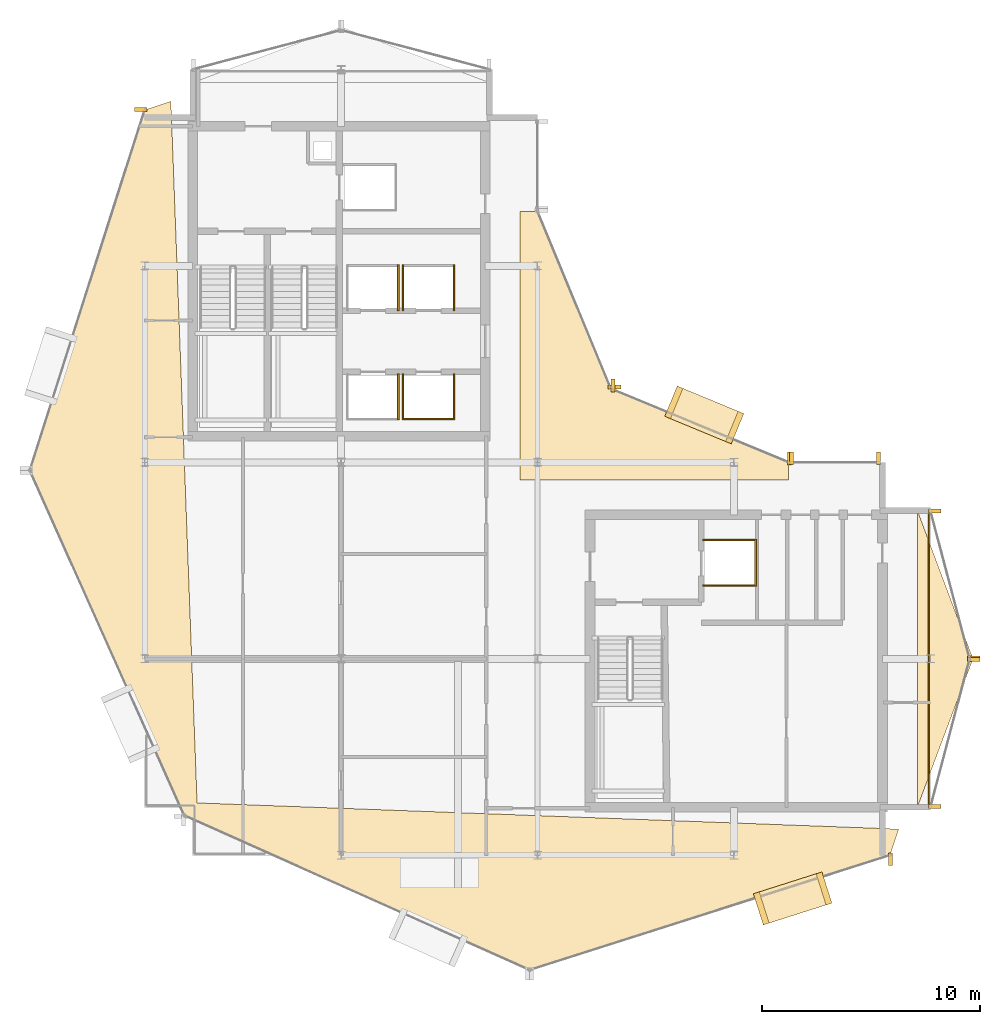
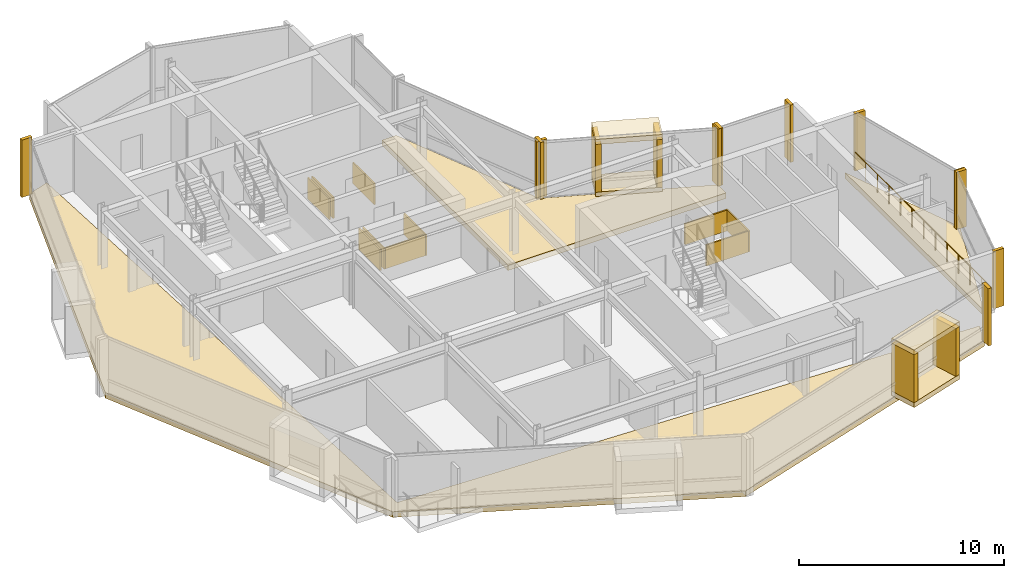
# One storey, part 18 of 19: 32 coverings, 1 railing.
"""IFC4 building model written with IfcOpenShell, lengths in metres."""

from ifc_helpers import new_model, si_unit, direction, frame, origin, origin_2d, place, context, subcontext, project, spatial, polyline, rectangle, circle, outline, extrude, material, layer, layer_set, type_object, element, save


model = new_model("IFC4")

# Units and contexts
model_context = context("Model", 3, precision=1e-05, world=origin(), true_north=direction((0.0, 1.0)))
body_context = subcontext(model_context, "Body", "Model", "MODEL_VIEW")
ifc_project = project(units=[si_unit("LENGTHUNIT", "METRE"), si_unit("AREAUNIT", "SQUARE_METRE"), si_unit("VOLUMEUNIT", "CUBIC_METRE"), si_unit("PLANEANGLEUNIT", "RADIAN"), si_unit("MASSUNIT", "GRAM", prefix="KILO")], contexts=[model_context])

# Site, building, storey
site_placement = place(None, origin())
site = spatial("IfcSite", under=ifc_project, at=site_placement, CompositionType="ELEMENT")
building_placement = place(site_placement, origin())
building = spatial("IfcBuilding", under=site, at=building_placement, Name="Solvaryn Broadcast Tower", CompositionType="ELEMENT")
storey_placement = place(building_placement, frame((0.0, 0.0, 290.0)))
storey = spatial("IfcBuildingStorey", under=building, at=storey_placement, Name="L73", CompositionType="ELEMENT", Elevation=290.0)

# Coverings
ifc_material_1 = material(Name="Fire-Rated Gypsum Shaftwall Liner", Category="concrete")
ifc_layer_1 = layer(ifc_material_1, 0.080078125)
ifc_layer_set_1 = layer_set([ifc_layer_1], Name="CV-SHAFT-LINER")
covering_type_1 = type_object("IfcCoveringType", Name="CV-SHAFT-LINER", PredefinedType="CLADDING", material=ifc_layer_set_1)
covering_1_placement = place(storey_placement, frame((20.614990234375, 30.0, 0.0), z_axis=(0.0, 0.0, 1.0), x_axis=(1.0, 0.0, 0.0)))
element("IfcCovering", 1, at=covering_1_placement, inside=storey, type_object=covering_type_1, Name="L73 PH1 Hoistway Shaft Liner East", PredefinedType="CLADDING", context=body_context, shape_type="SweptSolid", body=[
    extrude(rectangle(XDim=0.080078125, YDim=2.110107421875, at=origin_2d()), origin(), (0.0, 0.0, 1.0), 1.25),
])
covering_2_placement = place(storey_placement, frame((22.0, 28.985107421875, 0.0), z_axis=(0.0, 0.0, 1.0), x_axis=(1.0, 0.0, 0.0)))
element("IfcCovering", 2, at=covering_2_placement, inside=storey, type_object=covering_type_1, Name="L73 PH2 Hoistway Shaft Liner South", PredefinedType="CLADDING", context=body_context, shape_type="SweptSolid", body=[
    extrude(rectangle(XDim=2.409912109375, YDim=0.080078125, at=origin_2d()), origin(), (0.0, 0.0, 1.0), 1.25),
])
for number, where, z_axis, x_axis, name in (
    (3, (23.1650390625, 30.0, 0.0), (0.0, 0.0, 1.0), (1.0, 0.0, 0.0), "L73 PH2 Hoistway Shaft Liner East"),
    (4, (20.8349609375, 30.0, 0.0), (0.0, 0.0, 1.0), (1.0, 0.0, 0.0), "L73 PH2 Hoistway Shaft Liner West"),
    (5, (20.614990234375, 35.0, 0.0), (0.0, 0.0, 1.0), (1.0, 0.0, 0.0), "L73 PH3 Hoistway Shaft Liner East"),
    (6, (23.1650390625, 35.0, 0.0), (0.0, 0.0, 1.0), (1.0, 0.0, 0.0), "L73 PH4 Hoistway Shaft Liner East"),
    (7, (20.8349609375, 35.0, 0.0), (0.0, 0.0, 1.0), (1.0, 0.0, 0.0), "L73 PH4 Hoistway Shaft Liner West"),
):
    element("IfcCovering", number, at=place(storey_placement, frame(where, z_axis=z_axis, x_axis=x_axis)), inside=storey, type_object=covering_type_1, Name=name, PredefinedType="CLADDING", context=body_context, shape_type="SweptSolid", body=[
        extrude(rectangle(XDim=0.080078125, YDim=2.110107421875, at=origin_2d()), origin(), (0.0, 0.0, 1.0), 1.25),
    ])
for number, where, z_axis, x_axis, name in (
    (8, (35.800048828125, 23.43994140625, 0.0), (0.0, 0.0, 1.0), (1.0, 0.0, 0.0), "L73 FL2 Hoistway Shaft Liner North"),
    (9, (35.800048828125, 21.360107421875, 0.0), (0.0, 0.0, 1.0), (1.0, 0.0, 0.0), "L73 FL2 Hoistway Shaft Liner South"),
):
    element("IfcCovering", number, at=place(storey_placement, frame(where, z_axis=z_axis, x_axis=x_axis)), inside=storey, type_object=covering_type_1, Name=name, PredefinedType="CLADDING", context=body_context, shape_type="SweptSolid", body=[
        extrude(rectangle(XDim=2.4599609375, YDim=0.080078125, at=origin_2d()), origin(), (0.0, 0.0, 1.0), 1.25),
    ])
covering_3_placement = place(storey_placement, frame((36.989990234375, 22.39990234375, 0.0), z_axis=(0.0, 0.0, 1.0), x_axis=(1.0, 0.0, 0.0)))
element("IfcCovering", 10, at=covering_3_placement, inside=storey, type_object=covering_type_1, Name="L73 FL2 Hoistway Shaft Liner East", PredefinedType="CLADDING", context=body_context, shape_type="SweptSolid", body=[
    extrude(rectangle(XDim=0.080078125, YDim=2.159912109375, at=origin_2d()), origin(), (0.0, 0.0, 1.0), 1.25),
])
ifc_material_2 = material(Name="Glazed Architectural Terracotta Rainscreen Cladding", Category="masonry")
ifc_layer_2 = layer(ifc_material_2, 0.280029296875)
ifc_layer_set_2 = layer_set([ifc_layer_2], Name="CV-TC-CLAD")
covering_type_2 = type_object("IfcCoveringType", Name="CV-TC-CLAD", PredefinedType="CLADDING", material=ifc_layer_set_2)
for number, where, z_axis, x_axis, name in (
    (11, (38.68603515625, 7.02197265625, 3.1298828125), (0.0, 0.0, 1.0), (0.952820541996, 0.303534206887, 0.0), "L73 Projecting Stone Window Box Hood 4"),
    (12, (38.68603515625, 7.02197265625, -0.01025390625), (0.0, 0.0, 1.0), (0.952820541996, 0.303534206887, 0.0), "L73 Projecting Stone Window Box Sill 4"),
):
    element("IfcCovering", number, at=place(storey_placement, frame(where, z_axis=z_axis, x_axis=x_axis)), inside=storey, type_object=covering_type_2, Name=name, PredefinedType="CLADDING", context=body_context, shape_type="SweptSolid", body=[
        extrude(rectangle(XDim=3.300048828125, YDim=1.5, at=origin_2d()), origin(), (0.0, 0.0, 1.0), 0.300048828125),
    ])
for number, where, z_axis, x_axis, name in (
    (13, (37.247314453125, 6.563720703125, 0.27978515625), (0.0, 0.0, 1.0), (0.952820541996, 0.303534206887, 0.0), "L73 Projecting Stone Window Box Cheek 4-1"),
    (14, (40.124755859375, 7.480224609375, 0.27978515625), (0.0, 0.0, 1.0), (0.952820541996, 0.303534206887, 0.0), "L73 Projecting Stone Window Box Cheek 4-2"),
):
    element("IfcCovering", number, at=place(storey_placement, frame(where, z_axis=z_axis, x_axis=x_axis)), inside=storey, type_object=covering_type_2, Name=name, PredefinedType="CLADDING", context=body_context, shape_type="SweptSolid", body=[
        extrude(rectangle(XDim=0.280029296875, YDim=1.5, at=origin_2d()), origin(), (0.0, 0.0, 1.0), 2.860107421875),
    ])
for number, where, z_axis, x_axis, name in (
    (15, (34.636962890625, 29.174072265625, 3.1298828125), (0.0, 0.0, 1.0), (-0.923879532511, 0.382683432365, 0.0), "L73 Projecting Stone Window Box Hood 5"),
    (16, (34.636962890625, 29.174072265625, -0.01025390625), (0.0, 0.0, 1.0), (-0.923879532511, 0.382683432365, 0.0), "L73 Projecting Stone Window Box Sill 5"),
):
    element("IfcCovering", number, at=place(storey_placement, frame(where, z_axis=z_axis, x_axis=x_axis)), inside=storey, type_object=covering_type_2, Name=name, PredefinedType="CLADDING", context=body_context, shape_type="SweptSolid", body=[
        extrude(rectangle(XDim=3.300048828125, YDim=1.5, at=origin_2d()), origin(), (0.0, 0.0, 1.0), 0.300048828125),
    ])
for number, where, z_axis, x_axis, name in (
    (17, (36.031982421875, 28.59619140625, 0.27978515625), (0.0, 0.0, 1.0), (-0.923879532511, 0.382683432365, 0.0), "L73 Projecting Stone Window Box Cheek 5-1"),
    (18, (33.241943359375, 29.751953125, 0.27978515625), (0.0, 0.0, 1.0), (-0.923879532511, 0.382683432365, 0.0), "L73 Projecting Stone Window Box Cheek 5-2"),
):
    element("IfcCovering", number, at=place(storey_placement, frame(where, z_axis=z_axis, x_axis=x_axis)), inside=storey, type_object=covering_type_2, Name=name, PredefinedType="CLADDING", context=body_context, shape_type="SweptSolid", body=[
        extrude(rectangle(XDim=0.280029296875, YDim=1.5, at=origin_2d()), origin(), (0.0, 0.0, 1.0), 2.860107421875),
    ])
ifc_material_3 = material(Name="Extruded Architectural Terracotta Fin", Category="masonry")
ifc_layer_3 = layer(ifc_material_3, 0.179931640625)
ifc_layer_set_3 = layer_set([ifc_layer_3], Name="CV-TC-FIN")
covering_type_3 = type_object("IfcCoveringType", Name="CV-TC-FIN", PredefinedType="USERDEFINED", material=ifc_layer_set_3)
covering_4_placement = place(storey_placement, frame((8.819091796875, 43.17529296875, 0.0), z_axis=(0.0, 0.0, 1.0), x_axis=(1.0, 0.0, 0.0)))
element("IfcCovering", 19, at=covering_4_placement, inside=storey, type_object=covering_type_3, Name="L73 Terracotta Vertical Fin FIN-L73-DR1-M00", ObjectType="FIN", PredefinedType="USERDEFINED", context=body_context, shape_type="SweptSolid", body=[
    extrude(rectangle(XDim=0.580078125, YDim=0.179931640625, at=origin_2d()), origin(), (0.0, 0.0, 1.0), 3.419921875),
])
for number, where, z_axis, x_axis, name in (
    (20, (43.17529296875, 8.819091796875, 0.0), (0.0, 0.0, 1.0), (1.0, 0.0, 0.0), "L73 Terracotta Vertical Fin FIN-L73-DR4-M01"),
    (21, (38.541259765625, 27.177978515625, 0.0), (0.0, 0.0, 1.0), (1.0, 0.0, 0.0), "L73 Terracotta Vertical Fin FIN-L73-CN1-M00"),
    (22, (30.464599609375, 30.52294921875, 0.0), (0.0, 0.0, 1.0), (1.0, 0.0, 0.0), "L73 Terracotta Vertical Fin FIN-L73-CN1-M01"),
):
    element("IfcCovering", number, at=place(storey_placement, frame(where, z_axis=z_axis, x_axis=x_axis)), inside=storey, type_object=covering_type_3, Name=name, ObjectType="FIN", PredefinedType="USERDEFINED", context=body_context, shape_type="SweptSolid", body=[
        extrude(rectangle(XDim=0.179931640625, YDim=0.580078125, at=origin_2d()), origin(), (0.0, 0.0, 1.0), 3.419921875),
    ])
for number, where, z_axis, x_axis, name in (
    (23, (30.52294921875, 30.464599609375, 0.0), (0.0, 0.0, 1.0), (1.0, 0.0, 0.0), "L73 Terracotta Vertical Fin FIN-L73-CN2-M00"),
    (24, (45.1953125, 24.77099609375, 0.0), (0.0, 0.0, 1.0), (1.0, 0.0, 0.0), "L73 Terracotta Vertical Fin FIN-L73-ET1-M00"),
    (25, (46.979736328125, 18.029052734375, 0.0), (0.0, 0.0, 1.0), (1.0, 0.0, 0.0), "L73 Terracotta Vertical Fin FIN-L73-ET1-M01"),
    (26, (46.979736328125, 17.970947265625, 0.0), (0.0, 0.0, 1.0), (1.0, 0.0, 0.0), "L73 Terracotta Vertical Fin FIN-L73-ET2-M00"),
    (27, (45.1953125, 11.22900390625, 0.0), (0.0, 0.0, 1.0), (1.0, 0.0, 0.0), "L73 Terracotta Vertical Fin FIN-L73-ET2-M01"),
):
    element("IfcCovering", number, at=place(storey_placement, frame(where, z_axis=z_axis, x_axis=x_axis)), inside=storey, type_object=covering_type_3, Name=name, ObjectType="FIN", PredefinedType="USERDEFINED", context=body_context, shape_type="SweptSolid", body=[
        extrude(rectangle(XDim=0.580078125, YDim=0.179931640625, at=origin_2d()), origin(), (0.0, 0.0, 1.0), 3.419921875),
    ])
for number, where, z_axis, x_axis, name in (
    (28, (38.6298828125, 27.1875, 0.0), (0.0, 0.0, 1.0), (1.0, 0.0, 0.0), "L73 Terracotta Vertical Fin FIN-L73-IH-M00"),
    (29, (42.6201171875, 27.1875, 0.0), (0.0, 0.0, 1.0), (1.0, 0.0, 0.0), "L73 Terracotta Vertical Fin FIN-L73-IH-M01"),
):
    element("IfcCovering", number, at=place(storey_placement, frame(where, z_axis=z_axis, x_axis=x_axis)), inside=storey, type_object=covering_type_3, Name=name, ObjectType="FIN", PredefinedType="USERDEFINED", context=body_context, shape_type="SweptSolid", body=[
        extrude(rectangle(XDim=0.179931640625, YDim=0.580078125, at=origin_2d()), origin(), (0.0, 0.0, 1.0), 3.419921875),
    ])
ifc_material_4 = material(Name="Sculpted Architectural Terracotta Wave Fascia", Category="masonry")
ifc_layer_4 = layer(ifc_material_4, 0.340087890625)
ifc_layer_set_4 = layer_set([ifc_layer_4], Name="CV-WAVE-TRAY")
covering_type_4 = type_object("IfcCoveringType", Name="CV-WAVE-TRAY", PredefinedType="CLADDING", material=ifc_layer_set_4)
covering_5_placement = place(storey_placement, frame((0.0, 0.0, -0.300048828125)))
element("IfcCovering", 30, at=covering_5_placement, inside=storey, type_object=covering_type_4, Name="L73 Stepped Cylindrical Drum Floor Apron", PredefinedType="CLADDING", context=body_context, shape_type="SweptSolid", body=[
    extrude(outline(polyline([(10.199951171875, 43.549072265625), (9.0, 43.14892578125), (3.738037109375, 26.635986328125), (10.81689453125, 10.81689453125), (26.635986328125, 3.738037109375), (43.14892578125, 9.0), (43.14892578125, 9.0), (43.549072265625, 10.199951171875), (11.39990234375, 11.39990234375), (10.199951171875, 43.549072265625)])), origin(), (0.0, 0.0, 1.0), 0.330078125),
])
covering_6_placement = place(storey_placement, frame((0.0, 0.0, -0.300048828125)))
element("IfcCovering", 31, at=covering_6_placement, inside=storey, type_object=covering_type_4, Name="L73 Concave Canyon Floor Apron", PredefinedType="CLADDING", context=body_context, shape_type="SweptSolid", body=[
    extrude(outline(polyline([(26.199951171875, 26.199951171875), (38.5, 26.199951171875), (38.5, 27.0), (30.367919921875, 30.367919921875), (27.0, 38.5), (26.199951171875, 38.5), (26.199951171875, 26.199951171875)])), origin(), (0.0, 0.0, 1.0), 0.330078125),
])
covering_7_placement = place(storey_placement, frame((0.0, 0.0, -0.300048828125)))
element("IfcCovering", 32, at=covering_7_placement, inside=storey, type_object=covering_type_4, Name="L73 East Curved Wing Deck", PredefinedType="CLADDING", context=body_context, shape_type="SweptSolid", body=[
    extrude(outline(polyline([(44.39990234375, 11.199951171875), (46.949951171875, 18.0), (44.39990234375, 24.800048828125), (44.39990234375, 11.199951171875)])), origin(), (0.0, 0.0, 1.0), 0.330078125),
])

# Railing
ifc_material_5 = material(Name="Stainless Steel and Laminated Glass Guard", Category="steel")
railing_type = type_object("IfcRailingType", Name="RL-TER-1150", PredefinedType="BALUSTRADE", material=ifc_material_5)
railing_placement = place(storey_placement, frame((44.919921875, 11.199951171875, 0.0)))
element("IfcRailing", 33, at=railing_placement, inside=storey, type_object=railing_type, Name="L73 East Wing Spandrel Edge Guard", PredefinedType="BALUSTRADE", context=body_context, shape_type="SweptSolid", body=[
    extrude(circle(Radius=0.02392578125, at=origin_2d()), frame((0.0, 0.0, 1.1259765625), z_axis=(0.0, 1.0, 0.0), x_axis=(-1.0, 0.0, 0.0)), (0.0, 0.0, 1.0), 13.60009765625),
    extrude(circle(Radius=0.02099609375, at=origin_2d()), origin(), (0.0, 0.0, 1.0), 1.101806640625),
    extrude(circle(Radius=0.02099609375, at=origin_2d()), frame((0.0, 1.13330078125, 0.0)), (0.0, 0.0, 1.0), 1.101806640625),
    extrude(circle(Radius=0.02099609375, at=origin_2d()), frame((0.0, 2.2666015625, 0.0)), (0.0, 0.0, 1.0), 1.101806640625),
    extrude(circle(Radius=0.02099609375, at=origin_2d()), frame((0.0, 3.39990234375, 0.0)), (0.0, 0.0, 1.0), 1.101806640625),
    extrude(circle(Radius=0.02099609375, at=origin_2d()), frame((0.0, 4.533447265625, 0.0)), (0.0, 0.0, 1.0), 1.101806640625),
    extrude(circle(Radius=0.02099609375, at=origin_2d()), frame((0.0, 5.666748046875, 0.0)), (0.0, 0.0, 1.0), 1.101806640625),
    extrude(circle(Radius=0.02099609375, at=origin_2d()), frame((0.0, 6.800048828125, 0.0)), (0.0, 0.0, 1.0), 1.101806640625),
    extrude(circle(Radius=0.02099609375, at=origin_2d()), frame((0.0, 7.933349609375, 0.0)), (0.0, 0.0, 1.0), 1.101806640625),
    extrude(circle(Radius=0.02099609375, at=origin_2d()), frame((0.0, 9.066650390625, 0.0)), (0.0, 0.0, 1.0), 1.101806640625),
    extrude(circle(Radius=0.02099609375, at=origin_2d()), frame((0.0, 10.2001953125, 0.0)), (0.0, 0.0, 1.0), 1.101806640625),
    extrude(circle(Radius=0.02099609375, at=origin_2d()), frame((0.0, 11.33349609375, 0.0)), (0.0, 0.0, 1.0), 1.101806640625),
    extrude(circle(Radius=0.02099609375, at=origin_2d()), frame((0.0, 12.466796875, 0.0)), (0.0, 0.0, 1.0), 1.101806640625),
    extrude(circle(Radius=0.02099609375, at=origin_2d()), frame((0.0, 13.60009765625, 0.0)), (0.0, 0.0, 1.0), 1.101806640625),
])

save(model, "model.ifc")
